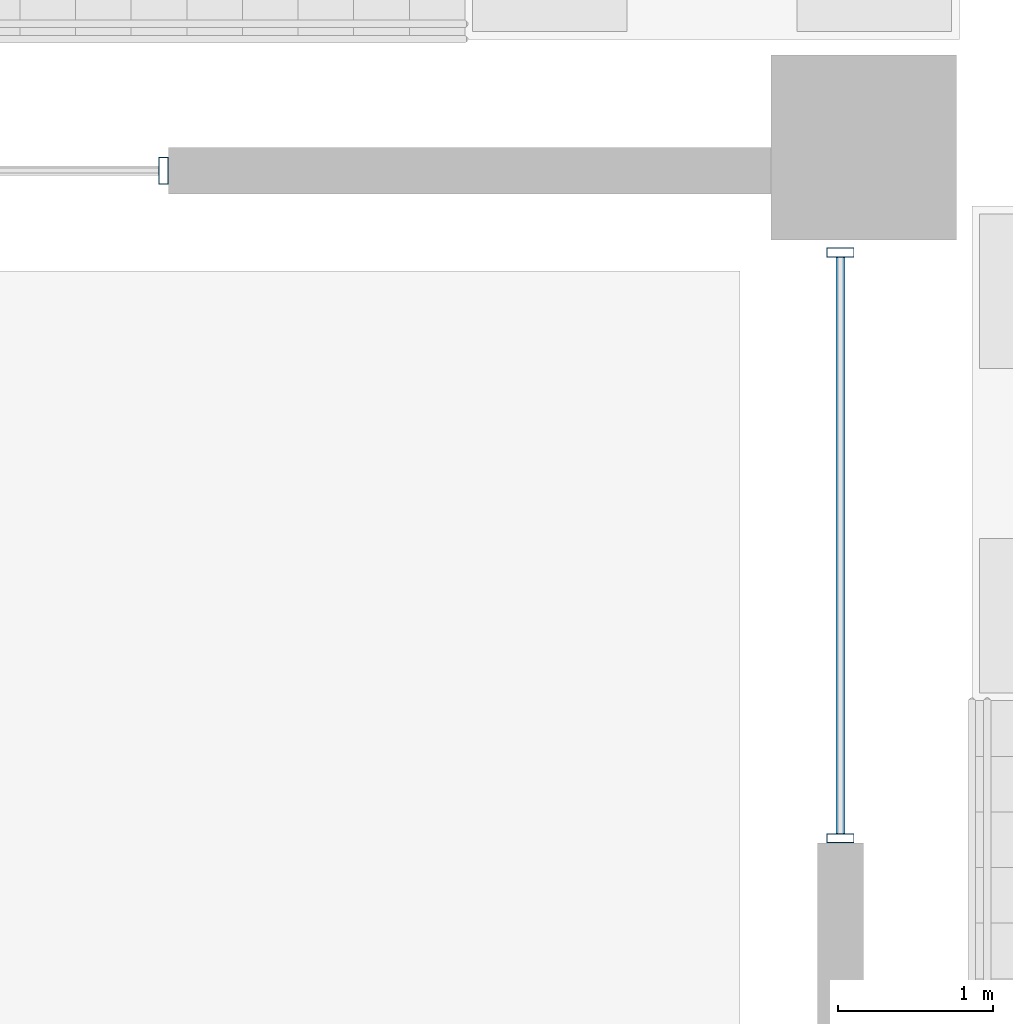
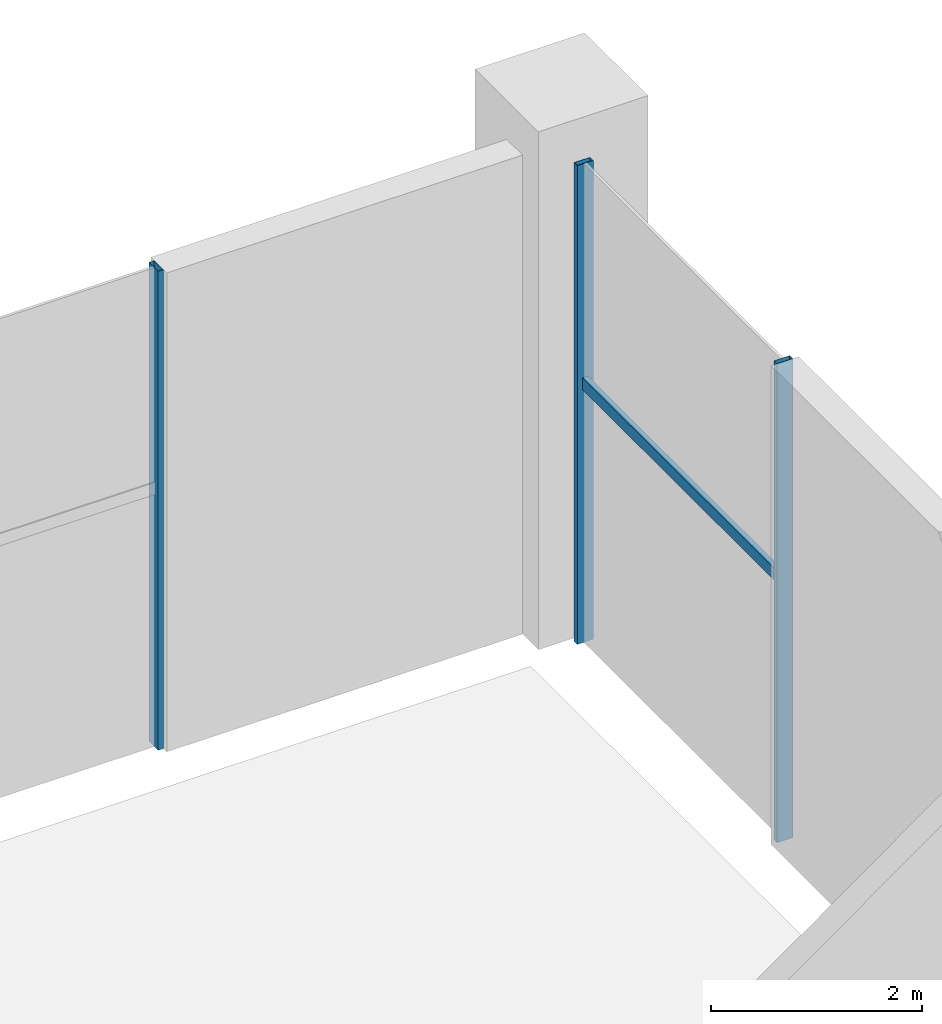
# One storey, part 20 of 68: 4 members, 2 elements without a shape of their own.
"""IFC4 building model written with IfcOpenShell, lengths in metres."""

from ifc_helpers import new_model, si_unit, direction, frame, origin, origin_2d, place, context, subcontext, project, spatial, hollow_rectangle, extrude, material, material_profile, profile_set, type_object, element, aggregate, save


model = new_model("IFC4")

# Units and contexts
model_context = context("Model", 3, precision=1e-05, world=origin(), true_north=direction((0.0, 1.0)))
body_context = subcontext(model_context, "Body", "Model", "MODEL_VIEW")
ifc_project = project(units=[si_unit("LENGTHUNIT", "METRE"), si_unit("AREAUNIT", "SQUARE_METRE"), si_unit("VOLUMEUNIT", "CUBIC_METRE"), si_unit("PLANEANGLEUNIT", "RADIAN"), si_unit("MASSUNIT", "GRAM", prefix="KILO")], contexts=[model_context])

# Site, building, storey
site_placement = place(None, origin())
site = spatial("IfcSite", under=ifc_project, at=site_placement, CompositionType="ELEMENT")
building_placement = place(site_placement, origin())
building = spatial("IfcBuilding", under=site, at=building_placement, Name="Altepetl Exchange Towers", CompositionType="ELEMENT")
storey_placement = place(building_placement, origin())
storey = spatial("IfcBuildingStorey", under=building, at=storey_placement, Name="L00 Ground concourse", CompositionType="ELEMENT", Elevation=0.0)

# Curtain wall, members
ifc_material_1 = material(Name="Aluminium 6063-T6 glazing", Category="aluminium")
curtain_wall_type = type_object("IfcCurtainWallType", Name="Podium storefront system", PredefinedType="NOTDEFINED", material=ifc_material_1)
curtain_wall_1_placement = place(storey_placement, origin())
curtain_wall_1 = element("IfcCurtainWall", 1, at=curtain_wall_1_placement, inside=storey, type_object=curtain_wall_type, Name="CW5 run", PredefinedType="NOTDEFINED")
ifc_material_2 = material(Name="Aluminium 6063-T6", Category="aluminium")
ifc_material_profile_1 = material_profile(ifc_material_2, hollow_rectangle(XDim=0.06005859375, YDim=0.175048828125, WallThickness=0.0029296875, at=origin_2d()), Name="Mullion 60x175 aluminium")
ifc_profile_set_1 = profile_set([ifc_material_profile_1], Name="Aluminium 6063-T6")
member_type_1 = type_object("IfcMemberType", Name="Mullion 60x175 aluminium", PredefinedType="MULLION", material=ifc_profile_set_1)
member_1_placement = place(storey_placement, frame((152.85009765625, 94.530029296875, 0.0), z_axis=(0.0, 0.0, 1.0), x_axis=(0.0, 1.0, 0.0)))
member_1 = element("IfcMember", 2, at=member_1_placement, type_object=member_type_1, Name="MU4 mullion", PredefinedType="MULLION", context=body_context, shape_type="SweptSolid", body=[
    extrude(hollow_rectangle(XDim=0.06005859375, YDim=0.175048828125, WallThickness=0.0029296875, at=origin_2d()), origin(), (0.0, 0.0, 1.0), 5.550048828125),
])
member_2_placement = place(storey_placement, frame((152.85009765625, 98.320068359375, 0.0), z_axis=(0.0, 0.0, 1.0), x_axis=(0.0, 1.0, 0.0)))
member_2 = element("IfcMember", 3, at=member_2_placement, type_object=member_type_1, Name="MU4 mullion", PredefinedType="MULLION", context=body_context, shape_type="SweptSolid", body=[
    extrude(hollow_rectangle(XDim=0.06005859375, YDim=0.175048828125, WallThickness=0.0029296875, at=origin_2d()), origin(), (0.0, 0.0, 1.0), 5.550048828125),
])

# Curtain wall, member
curtain_wall_2_placement = place(storey_placement, origin())
curtain_wall_2 = element("IfcCurtainWall", 4, at=curtain_wall_2_placement, inside=storey, type_object=curtain_wall_type, Name="CW5 run", PredefinedType="NOTDEFINED")
member_3_placement = place(storey_placement, frame((148.469970703125, 98.85009765625, 0.0), z_axis=(0.0, 0.0, 1.0), x_axis=(-1.0, 0.0, 0.0)))
member_3 = element("IfcMember", 5, at=member_3_placement, type_object=member_type_1, Name="MU4 mullion", PredefinedType="MULLION", context=body_context, shape_type="SweptSolid", body=[
    extrude(hollow_rectangle(XDim=0.06005859375, YDim=0.175048828125, WallThickness=0.0029296875, at=origin_2d()), origin(), (0.0, 0.0, 1.0), 5.550048828125),
])
aggregate(curtain_wall_2, [member_3])

# Member
ifc_material_profile_2 = material_profile(ifc_material_2, hollow_rectangle(XDim=0.06005859375, YDim=0.139892578125, WallThickness=0.0029296875, at=origin_2d()), Name="Transom 60x140 aluminium")
ifc_profile_set_2 = profile_set([ifc_material_profile_2], Name="Aluminium 6063-T6")
member_type_2 = type_object("IfcMemberType", Name="Transom 60x140 aluminium", PredefinedType="USERDEFINED", material=ifc_profile_set_2)
member_4_placement = place(storey_placement, frame((152.85009765625, 94.56005859375, 3.0), z_axis=(0.0, 1.0, 0.0), x_axis=(-1.0, 0.0, 0.0)))
member_4 = element("IfcMember", 6, at=member_4_placement, type_object=member_type_2, Name="TR3 transom", ObjectType="TRANSOM", PredefinedType="USERDEFINED", context=body_context, shape_type="SweptSolid", body=[
    extrude(hollow_rectangle(XDim=0.06005859375, YDim=0.139892578125, WallThickness=0.0029296875, at=origin_2d()), origin(), (0.0, 0.0, 1.0), 3.72998046875),
])

aggregate(curtain_wall_1, [member_1, member_2, member_4])

save(model, "model.ifc")
